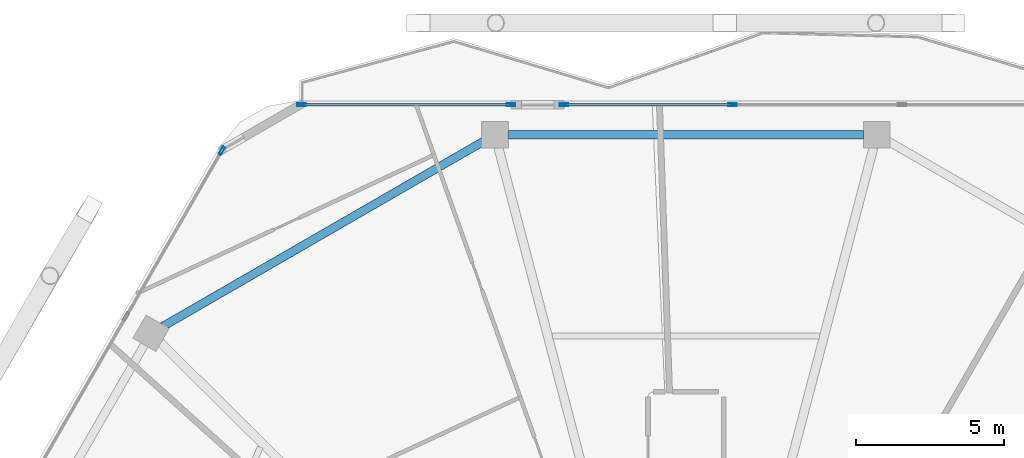
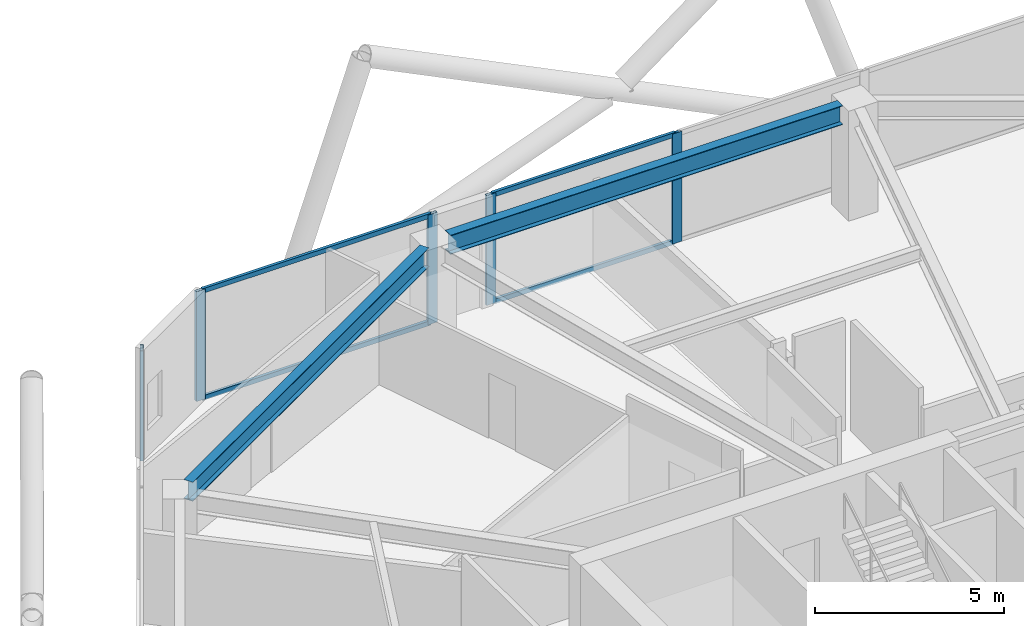
# One storey, part 15 of 26: 9 members, 2 beams, 3 elements without a shape of their own.
"""IFC4 building model written with IfcOpenShell, lengths in metres."""

from ifc_helpers import new_model, si_unit, direction, frame, origin, origin_2d, place, context, subcontext, project, spatial, hollow_rectangle, i_section, extrude, material, material_profile, profile_set, type_object, element, aggregate, save


model = new_model("IFC4")

# Units and contexts
model_context = context("Model", 3, precision=1e-05, world=origin(), true_north=direction((0.0, 1.0)))
body_context = subcontext(model_context, "Body", "Model", "MODEL_VIEW")
ifc_project = project(units=[si_unit("LENGTHUNIT", "METRE"), si_unit("AREAUNIT", "SQUARE_METRE"), si_unit("VOLUMEUNIT", "CUBIC_METRE"), si_unit("PLANEANGLEUNIT", "RADIAN"), si_unit("MASSUNIT", "GRAM", prefix="KILO")], contexts=[model_context])

# Site, building, storey
site_placement = place(None, origin())
site = spatial("IfcSite", under=ifc_project, at=site_placement, CompositionType="ELEMENT")
building_placement = place(site_placement, origin())
building = spatial("IfcBuilding", under=site, at=building_placement, Name="Zuhravey Tower", CompositionType="ELEMENT")
storey_placement = place(building_placement, frame((0.0, 0.0, 231.199951171875)))
storey = spatial("IfcBuildingStorey", under=building, at=storey_placement, Name="L58", CompositionType="ELEMENT", Elevation=231.199951171875)

# Curtain wall, member
ifc_material_1 = material(Name="Thermally broken anodised aluminium", Category="aluminium")
curtain_wall_type = type_object("IfcCurtainWallType", Name="Zone 3-4 High-Rise Curtain Wall CW4", PredefinedType="NOTDEFINED", material=ifc_material_1)
curtain_wall_1_placement = place(storey_placement, origin())
curtain_wall_1 = element("IfcCurtainWall", 1, at=curtain_wall_1_placement, inside=storey, type_object=curtain_wall_type, Name="L58 CW4 CW-L58-F3-1", PredefinedType="NOTDEFINED")
ifc_material_2 = material(Name="Anodised aluminium", Category="aluminium")
ifc_material_profile_1 = material_profile(ifc_material_2, hollow_rectangle(XDim=0.090087890625, YDim=0.284912109375, WallThickness=0.0048828125, at=origin_2d()), Name="ALU-RHS-90x285x5")
ifc_profile_set_1 = profile_set([ifc_material_profile_1], Name="Anodised aluminium")
member_type_1 = type_object("IfcMemberType", Name="Curtain-Wall Mullion 90x180", PredefinedType="MULLION", material=ifc_profile_set_1)
member_1_placement = place(storey_placement, frame((20.34521484375, 56.01220703125, 0.0), z_axis=(0.0, 0.0, 1.0), x_axis=(-0.866024851021, 0.500000957414, 0.0)))
member_1 = element("IfcMember", 2, at=member_1_placement, type_object=member_type_1, Name="CW4 mullion 5", PredefinedType="MULLION", context=body_context, shape_type="SweptSolid", body=[
    extrude(hollow_rectangle(XDim=0.090087890625, YDim=0.284912109375, WallThickness=0.0048828125, at=origin_2d()), origin(), (0.0, 0.0, 1.0), 3.550048828125),
])
aggregate(curtain_wall_1, [member_1])

# Curtain wall, members
curtain_wall_2_placement = place(storey_placement, origin())
curtain_wall_2 = element("IfcCurtainWall", 3, at=curtain_wall_2_placement, inside=storey, type_object=curtain_wall_type, Name="L58 CW4 CW-L58-F2-1", PredefinedType="NOTDEFINED")
member_2_placement = place(storey_placement, frame((23.0322265625, 57.563720703125, 0.0), z_axis=(0.0, 0.0, 1.0), x_axis=(0.0, 1.0, 0.0)))
member_2 = element("IfcMember", 4, at=member_2_placement, type_object=member_type_1, Name="CW4 mullion 1", PredefinedType="MULLION", context=body_context, shape_type="SweptSolid", body=[
    extrude(hollow_rectangle(XDim=0.090087890625, YDim=0.284912109375, WallThickness=0.0048828125, at=origin_2d()), origin(), (0.0, 0.0, 1.0), 3.550048828125),
])
member_3_placement = place(storey_placement, frame((30.10400390625, 57.563720703125, 0.0), z_axis=(0.0, 0.0, 1.0), x_axis=(0.0, 1.0, 0.0)))
member_3 = element("IfcMember", 5, at=member_3_placement, type_object=member_type_1, Name="CW4 mullion 2", PredefinedType="MULLION", context=body_context, shape_type="SweptSolid", body=[
    extrude(hollow_rectangle(XDim=0.090087890625, YDim=0.284912109375, WallThickness=0.0048828125, at=origin_2d()), origin(), (0.0, 0.0, 1.0), 3.550048828125),
])

curtain_wall_3_placement = place(storey_placement, origin())
curtain_wall_3 = element("IfcCurtainWall", 6, at=curtain_wall_3_placement, inside=storey, type_object=curtain_wall_type, Name="L58 CW4 CW-L58-F2-2", PredefinedType="NOTDEFINED")
member_4_placement = place(storey_placement, frame((31.89404296875, 57.563720703125, 0.0), z_axis=(0.0, 0.0, 1.0), x_axis=(0.0, 1.0, 0.0)))
member_4 = element("IfcMember", 7, at=member_4_placement, type_object=member_type_1, Name="CW4 mullion 1", PredefinedType="MULLION", context=body_context, shape_type="SweptSolid", body=[
    extrude(hollow_rectangle(XDim=0.090087890625, YDim=0.284912109375, WallThickness=0.0048828125, at=origin_2d()), origin(), (0.0, 0.0, 1.0), 3.550048828125),
])
member_5_placement = place(storey_placement, frame((37.5703125, 57.563720703125, 0.0), z_axis=(0.0, 0.0, 1.0), x_axis=(0.0, 1.0, 0.0)))
member_5 = element("IfcMember", 8, at=member_5_placement, type_object=member_type_1, Name="CW4 mullion 2", PredefinedType="MULLION", context=body_context, shape_type="SweptSolid", body=[
    extrude(hollow_rectangle(XDim=0.090087890625, YDim=0.284912109375, WallThickness=0.0048828125, at=origin_2d()), origin(), (0.0, 0.0, 1.0), 3.550048828125),
])

# Member
ifc_material_profile_2 = material_profile(ifc_material_2, hollow_rectangle(XDim=0.090087890625, YDim=0.14990234375, WallThickness=0.0048828125, at=origin_2d()), Name="ALU-RHS-90x150x5")
ifc_profile_set_2 = profile_set([ifc_material_profile_2], Name="Anodised aluminium")
member_type_2 = type_object("IfcMemberType", Name="Curtain-Wall Transom 90x150", PredefinedType="USERDEFINED", material=ifc_profile_set_2)
member_6_placement = place(storey_placement, frame((23.077392578125, 57.563720703125, 0.045166015625), z_axis=(1.0, 0.0, 0.0), x_axis=(0.0, 1.0, 0.0)))
member_6 = element("IfcMember", 9, at=member_6_placement, type_object=member_type_2, Name="CW4 transom 1.1", ObjectType="TRANSOM", PredefinedType="USERDEFINED", context=body_context, shape_type="SweptSolid", body=[
    extrude(hollow_rectangle(XDim=0.090087890625, YDim=0.14990234375, WallThickness=0.0048828125, at=origin_2d()), origin(), (0.0, 0.0, 1.0), 6.981689453125),
])

member_7_placement = place(storey_placement, frame((23.077392578125, 57.563720703125, 3.505126953125), z_axis=(1.0, 0.0, 0.0), x_axis=(0.0, 1.0, 0.0)))
member_7 = element("IfcMember", 10, at=member_7_placement, type_object=member_type_2, Name="CW4 transom 1.2", ObjectType="TRANSOM", PredefinedType="USERDEFINED", context=body_context, shape_type="SweptSolid", body=[
    extrude(hollow_rectangle(XDim=0.090087890625, YDim=0.14990234375, WallThickness=0.0048828125, at=origin_2d()), origin(), (0.0, 0.0, 1.0), 6.981689453125),
])

aggregate(curtain_wall_2, [member_2, member_3, member_6, member_7])

member_8_placement = place(storey_placement, frame((31.939208984375, 57.563720703125, 0.045166015625), z_axis=(1.0, 0.0, 0.0), x_axis=(0.0, 1.0, 0.0)))
member_8 = element("IfcMember", 11, at=member_8_placement, type_object=member_type_2, Name="CW4 transom 1.1", ObjectType="TRANSOM", PredefinedType="USERDEFINED", context=body_context, shape_type="SweptSolid", body=[
    extrude(hollow_rectangle(XDim=0.090087890625, YDim=0.14990234375, WallThickness=0.0048828125, at=origin_2d()), origin(), (0.0, 0.0, 1.0), 5.586181640625),
])

member_9_placement = place(storey_placement, frame((31.939208984375, 57.563720703125, 3.505126953125), z_axis=(1.0, 0.0, 0.0), x_axis=(0.0, 1.0, 0.0)))
member_9 = element("IfcMember", 12, at=member_9_placement, type_object=member_type_2, Name="CW4 transom 1.2", ObjectType="TRANSOM", PredefinedType="USERDEFINED", context=body_context, shape_type="SweptSolid", body=[
    extrude(hollow_rectangle(XDim=0.090087890625, YDim=0.14990234375, WallThickness=0.0048828125, at=origin_2d()), origin(), (0.0, 0.0, 1.0), 5.586181640625),
])

aggregate(curtain_wall_3, [member_4, member_5, member_8, member_9])

# Beams
ifc_material_3 = material(Name="Steel SM355", Category="steel")
ifc_material_profile_3 = material_profile(ifc_material_3, i_section(OverallWidth=0.280029296875, OverallDepth=0.6201171875, WebThickness=0.011962890625, FlangeThickness=0.02001953125, at=origin_2d()), Name="H-620x280x12x20")
ifc_profile_set_3 = profile_set([ifc_material_profile_3], Name="Steel SM355")
beam_type = type_object("IfcBeamType", Name="Perimeter Ring Beam H620x280", PredefinedType="BEAM", material=ifc_profile_set_3)
beam_1_placement = place(storey_placement, frame((41.98779296875, 56.5537109375, 3.239990234375), z_axis=(-1.0, 0.0, 0.0), x_axis=(0.0, -1.0, 0.0)))
element("IfcBeam", 13, at=beam_1_placement, inside=storey, type_object=beam_type, Name="L58 PB3 BM-L58-PB-03", PredefinedType="BEAM", context=body_context, shape_type="SweptSolid", body=[
    extrude(i_section(OverallWidth=0.280029296875, OverallDepth=0.6201171875, WebThickness=0.011962890625, FlangeThickness=0.02001953125, at=origin_2d()), origin(), (0.0, 0.0, 1.0), 11.9755859375),
])
beam_2_placement = place(storey_placement, frame((29.166748046875, 56.3271484375, 3.239990234375), z_axis=(-0.866025131093, -0.500000472315, 0.0), x_axis=(0.500000472315, -0.866025131093, 0.0)))
element("IfcBeam", 14, at=beam_2_placement, inside=storey, type_object=beam_type, Name="L58 PB3 BM-L58-PB-04", PredefinedType="BEAM", context=body_context, shape_type="SweptSolid", body=[
    extrude(i_section(OverallWidth=0.280029296875, OverallDepth=0.6201171875, WebThickness=0.011962890625, FlangeThickness=0.02001953125, at=origin_2d()), origin(), (0.0, 0.0, 1.0), 12.49169921875),
])

save(model, "model.ifc")
